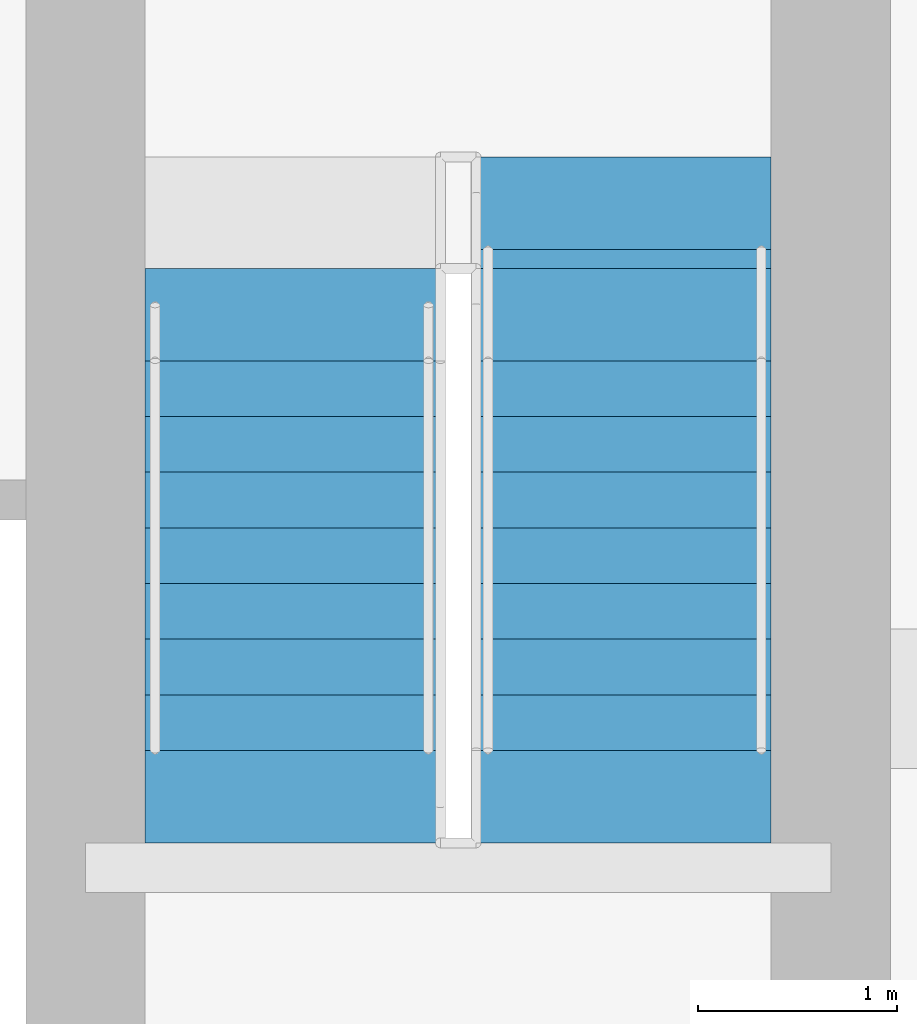
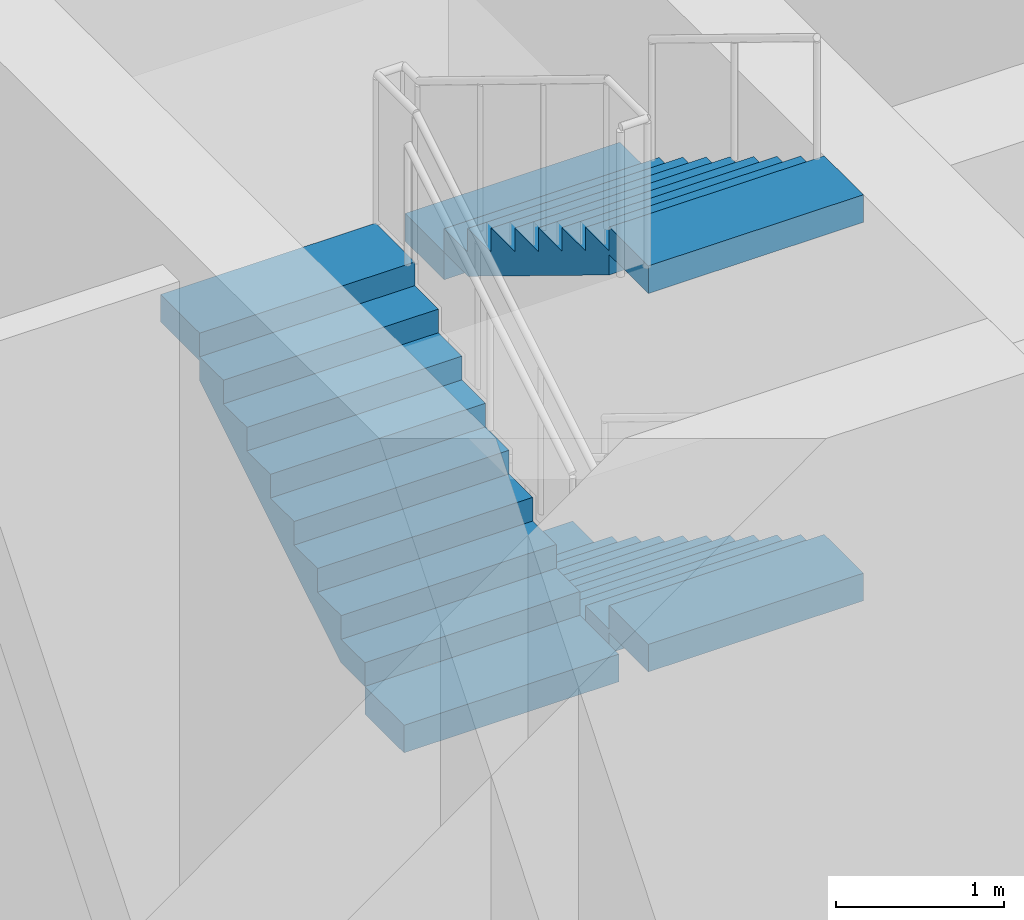
# One storey, part 14 of 17: 3 stair flights, 1 element without a shape of its own.
"""IFC4 building model written with IfcOpenShell, lengths in metres."""

from ifc_helpers import new_model, si_unit, direction, frame, origin, place, context, subcontext, project, spatial, polyline, outline, extrude, material, type_object, element, aggregate, save


model = new_model("IFC4")

# Units and contexts
model_context = context("Model", 3, precision=1e-05, world=origin(), true_north=direction((0.0, 1.0)))
body_context = subcontext(model_context, "Body", "Model", "MODEL_VIEW")
ifc_project = project(units=[si_unit("LENGTHUNIT", "METRE"), si_unit("AREAUNIT", "SQUARE_METRE"), si_unit("VOLUMEUNIT", "CUBIC_METRE"), si_unit("PLANEANGLEUNIT", "RADIAN"), si_unit("MASSUNIT", "GRAM", prefix="KILO")], contexts=[model_context])

# Site, building, storey
site_placement = place(None, origin())
site = spatial("IfcSite", under=ifc_project, at=site_placement, CompositionType="ELEMENT")
building_placement = place(site_placement, origin())
building = spatial("IfcBuilding", under=site, at=building_placement, Name="Kilele Tower Hotel", CompositionType="ELEMENT")
storey_placement = place(building_placement, frame((0.0, 0.0, 145.89990234375)))
storey = spatial("IfcBuildingStorey", under=building, at=storey_placement, Name="L38", CompositionType="ELEMENT", Elevation=145.89990234375)

# Stair, stair flights
ifc_material_1 = material(Name="Precast concrete C40/50", Category="concrete")
stair_type = type_object("IfcStairType", Name="Stair 1475 x 6000", PredefinedType="HALF_TURN_STAIR", material=ifc_material_1)
stair_placement = place(storey_placement, origin())
stair = element("IfcStair", 1, at=stair_placement, inside=storey, type_object=stair_type, Name="Stair 2 L38", PredefinedType="HALF_TURN_STAIR")
ifc_material_2 = material(Name="Precast concrete C40/50", Category="concrete")
stair_flight_type = type_object("IfcStairFlightType", Name="Flight 1475 riser 171.4", PredefinedType="STRAIGHT", material=ifc_material_2)
stair_flight_1_placement = place(storey_placement, frame((34.96240234375, 24.760009765625, 1.54296875), z_axis=(0.0, 0.0, 1.0), x_axis=(0.0, -1.0, 0.0)))
stair_flight_1 = element("IfcStairFlight", 2, at=stair_flight_1_placement, type_object=stair_flight_type, Name="ST2 flight 2", NumberOfRisers=10, NumberOfTreads=9, PredefinedType="STRAIGHT", RiserHeight=0.171428571, TreadLength=0.28, context=body_context, shape_type="SweptSolid", body=[
    extrude(outline(polyline([(0.0, 0.0), (0.0, 0.17138671875), (0.280029296875, 0.17138671875), (0.280029296875, 0.3427734375), (0.56005859375, 0.3427734375), (0.56005859375, 0.514404296875), (0.840087890625, 0.514404296875), (0.840087890625, 0.685791015625), (1.1201171875, 0.685791015625), (1.1201171875, 0.857177734375), (1.39990234375, 0.857177734375), (1.39990234375, 1.028564453125), (1.679931640625, 1.028564453125), (1.679931640625, 1.199951171875), (1.9599609375, 1.199951171875), (1.9599609375, 1.371337890625), (2.239990234375, 1.371337890625), (2.239990234375, 1.54296875), (2.52001953125, 1.54296875), (2.52001953125, 1.71435546875), (2.52001953125, 1.3671875), (0.287109375, 0.0), (0.0, 0.0)])), frame((0.0, 0.737548828125, 0.0), z_axis=(0.0, -1.0, 0.0), x_axis=(1.0, 0.0, 0.0)), (0.0, 0.0, 1.0), 1.47509765625),
    extrude(outline(polyline([(0.0, -0.7373046875), (0.0, 0.737548828125), (-0.465087890625, 0.737548828125), (-0.465087890625, -0.7373046875), (0.0, -0.7373046875)])), frame((0.0, 0.0, -0.199951171875)), (0.0, 0.0, 1.0), 0.199951171875),
    extrude(outline(polyline([(2.985107421875, -0.7373046875), (2.985107421875, 0.737548828125), (2.52001953125, 0.737548828125), (2.52001953125, -0.7373046875), (2.985107421875, -0.7373046875)])), frame((0.0, 0.0, 1.51416015625)), (0.0, 0.0, 1.0), 0.199951171875),
])
stair_flight_2_placement = place(storey_placement, frame((33.28759765625, 22.239990234375, 3.25732421875), z_axis=(0.0, 0.0, 1.0), x_axis=(0.0, 1.0, 0.0)))
stair_flight_2 = element("IfcStairFlight", 3, at=stair_flight_2_placement, type_object=stair_flight_type, Name="ST2 flight 3", NumberOfRisers=8, NumberOfTreads=7, PredefinedType="STRAIGHT", RiserHeight=0.171428571, TreadLength=0.28, context=body_context, shape_type="SweptSolid", body=[
    extrude(outline(polyline([(0.0, 0.0), (0.0, 0.17138671875), (0.280029296875, 0.17138671875), (0.280029296875, 0.3427734375), (0.56005859375, 0.3427734375), (0.56005859375, 0.514404296875), (0.840087890625, 0.514404296875), (0.840087890625, 0.685791015625), (1.1201171875, 0.685791015625), (1.1201171875, 0.857177734375), (1.39990234375, 0.857177734375), (1.39990234375, 1.028564453125), (1.679931640625, 1.028564453125), (1.679931640625, 1.199951171875), (1.9599609375, 1.199951171875), (1.9599609375, 1.371337890625), (1.9599609375, 1.024169921875), (0.287109375, 0.0), (0.0, 0.0)])), frame((0.0, 0.737548828125, 0.0), z_axis=(0.0, -1.0, 0.0), x_axis=(1.0, 0.0, 0.0)), (0.0, 0.0, 1.0), 1.47509765625),
    extrude(outline(polyline([(-0.465087890625, 0.737548828125), (-0.465087890625, -0.7373046875), (0.0, -0.7373046875), (0.0, 0.737548828125), (-0.465087890625, 0.737548828125)])), frame((0.0, 0.0, -0.2001953125)), (0.0, 0.0, 1.0), 0.199951171875),
    extrude(outline(polyline([(1.9599609375, 0.737548828125), (1.9599609375, -0.7373046875), (2.425048828125, -0.7373046875), (2.425048828125, 0.737548828125), (1.9599609375, 0.737548828125)])), frame((0.0, 0.0, 1.17138671875)), (0.0, 0.0, 1.0), 0.199951171875),
])
stair_flight_3_placement = place(storey_placement, frame((34.96240234375, 24.199951171875, 4.628662109375), z_axis=(0.0, 0.0, 1.0), x_axis=(0.0, -1.0, 0.0)))
stair_flight_3 = element("IfcStairFlight", 4, at=stair_flight_3_placement, type_object=stair_flight_type, Name="ST2 flight 4", NumberOfRisers=8, NumberOfTreads=7, PredefinedType="STRAIGHT", RiserHeight=0.171428571, TreadLength=0.28, context=body_context, shape_type="SweptSolid", body=[
    extrude(outline(polyline([(0.0, 0.0), (0.0, 0.17138671875), (0.280029296875, 0.17138671875), (0.280029296875, 0.3427734375), (0.56005859375, 0.3427734375), (0.56005859375, 0.514404296875), (0.840087890625, 0.514404296875), (0.840087890625, 0.685791015625), (1.1201171875, 0.685791015625), (1.1201171875, 0.857177734375), (1.39990234375, 0.857177734375), (1.39990234375, 1.028564453125), (1.679931640625, 1.028564453125), (1.679931640625, 1.199951171875), (1.9599609375, 1.199951171875), (1.9599609375, 1.371337890625), (1.9599609375, 1.024169921875), (0.287109375, 0.0), (0.0, 0.0)])), frame((0.0, 0.737548828125, 0.0), z_axis=(0.0, -1.0, 0.0), x_axis=(1.0, 0.0, 0.0)), (0.0, 0.0, 1.0), 1.47509765625),
    extrude(outline(polyline([(0.0, -0.7373046875), (0.0, 0.737548828125), (-0.465087890625, 0.737548828125), (-0.465087890625, -0.7373046875), (0.0, -0.7373046875)])), frame((0.0, 0.0, -0.199951171875)), (0.0, 0.0, 1.0), 0.199951171875),
    extrude(outline(polyline([(2.425048828125, -0.7373046875), (2.425048828125, 0.737548828125), (1.9599609375, 0.737548828125), (1.9599609375, -0.7373046875), (2.425048828125, -0.7373046875)])), frame((0.0, 0.0, 1.17138671875)), (0.0, 0.0, 1.0), 0.199951171875),
])
aggregate(stair, [stair_flight_1, stair_flight_2, stair_flight_3])

save(model, "model.ifc")
